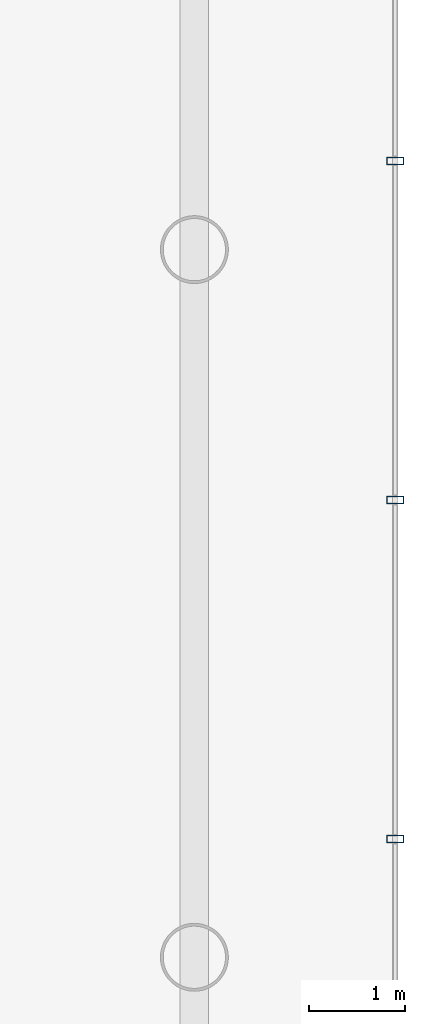
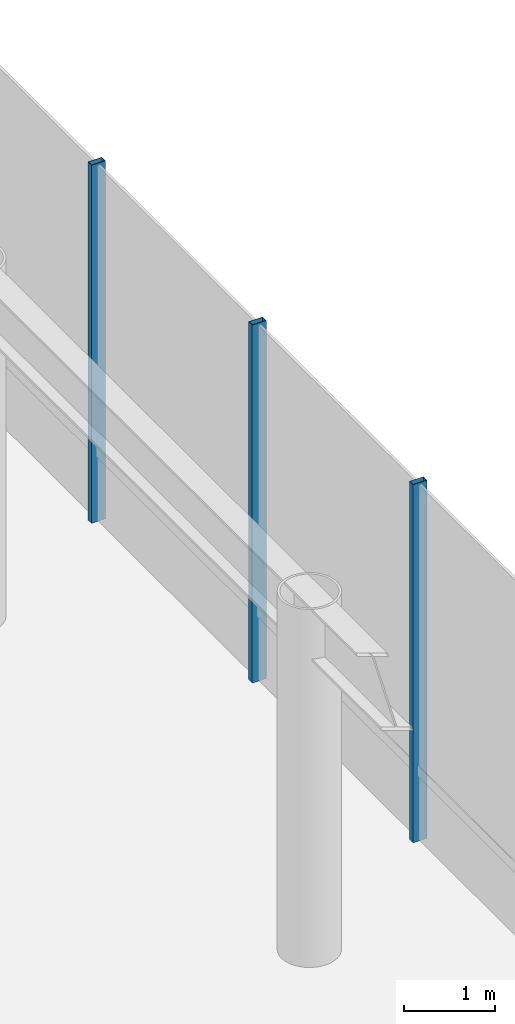
# One storey, part 16 of 31: 3 members, 1 element without a shape of its own.
"""IFC4 building model written with IfcOpenShell, lengths in metres."""

import ifcopenshell
import ifcopenshell.guid

model = None  # the IFC model being written
_history = None  # IfcOwnerHistory: only IFC2X3 demands one
_inside = {}  # id of a spatial element -> (the spatial element, [elements in it])
_under = {}  # id of a project, library or spatial element -> (it, [spatial elements below it])
_declared = {}  # id of a project -> (the project, [libraries it declares])
_typed = {}  # id of a type object -> (the type object, [elements of that type])
_made_of = {}  # id of a material, layer set ... -> (it, [elements and type objects made of it])


def new_model(schema):
    """Start an empty IFC model of exactly this schema.

    Asked for "IFC4X3", IfcOpenShell would pick the latest addendum, in which some entities
    have other attributes; the version numbers below select the first issue.
    IFC2X3 requires an IfcOwnerHistory on every rooted entity: one is made here for all.
    """
    global model, _history
    if schema == "IFC4X3":
        model = ifcopenshell.file(schema_version=(4, 3, 0, 0))
    else:
        model = ifcopenshell.file(schema=schema)
    _inside.clear()
    _under.clear()
    _declared.clear()
    _typed.clear()
    _made_of.clear()
    _history = None
    if model.schema == "IFC2X3":
        org = make("IfcOrganization", Name="unknown")
        user = make(
            "IfcPersonAndOrganization",
            ThePerson=make("IfcPerson", FamilyName="unknown"),
            TheOrganization=org,
        )
        app = make(
            "IfcApplication",
            ApplicationDeveloper=org,
            Version="unknown",
            ApplicationFullName="unknown",
            ApplicationIdentifier="unknown",
        )
        _history = make(
            "IfcOwnerHistory",
            OwningUser=user,
            OwningApplication=app,
            ChangeAction="ADDED",
            CreationDate=0,
        )
    return model


def make(cls, **values):
    """One entity of the class cls with the attributes given. An attribute that is None is left unset."""
    return model.create_entity(
        cls, **{name: value for name, value in values.items() if value is not None}
    )


def rooted(cls, **values):
    """An entity with a GlobalId (a new one), such as an element, a storey or a relation."""
    return make(cls, GlobalId=ifcopenshell.guid.new(), OwnerHistory=_history, **values)


def si_unit(unit_type, name, prefix=None):
    """IfcSIUnit, for example si_unit("LENGTHUNIT", "METRE", prefix="MILLI")."""
    return make("IfcSIUnit", UnitType=unit_type, Prefix=prefix, Name=name)


def assignment(units):
    """IfcUnitAssignment: the units of a project."""
    return None if units is None else make("IfcUnitAssignment", Units=units)


def point(xyz):
    """IfcCartesianPoint."""
    return None if xyz is None else make("IfcCartesianPoint", Coordinates=xyz)


def direction(xyz):
    """IfcDirection."""
    return None if xyz is None else make("IfcDirection", DirectionRatios=xyz)


def frame(location, z_axis=None, x_axis=None):
    """IfcAxis2Placement3D, a coordinate frame: its origin and axes. An axis left out is left unset."""
    return make(
        "IfcAxis2Placement3D",
        Location=point(location),
        Axis=direction(z_axis),
        RefDirection=direction(x_axis),
    )


def frame_2d(location, x_axis=None):
    """IfcAxis2Placement2D, a coordinate frame in the plane: its origin and x axis."""
    return make(
        "IfcAxis2Placement2D", Location=point(location), RefDirection=direction(x_axis)
    )


def origin():
    """The frame at (0, 0, 0) with its axes left unset."""
    return frame((0.0, 0.0, 0.0))


def origin_2d():
    """The frame at (0, 0) in the plane with its x axis left unset."""
    return frame_2d((0.0, 0.0))


def place(relative_to, where):
    """IfcLocalPlacement: puts the frame where relative to a parent placement (None: the world)."""
    return make(
        "IfcLocalPlacement", PlacementRelTo=relative_to, RelativePlacement=where
    )


def context(
    kind, dimensions, precision=None, world=None, true_north=None, identifier=None
):
    """IfcGeometricRepresentationContext, for example the 3D "Model" context."""
    return make(
        "IfcGeometricRepresentationContext",
        ContextIdentifier=identifier,
        ContextType=kind,
        CoordinateSpaceDimension=dimensions,
        Precision=precision,
        WorldCoordinateSystem=world,
        TrueNorth=true_north,
    )


def subcontext(parent, identifier, kind, view, scale=None):
    """IfcGeometricRepresentationSubContext, for example "Body" below "Model"."""
    return make(
        "IfcGeometricRepresentationSubContext",
        ContextIdentifier=identifier,
        ContextType=kind,
        ParentContext=parent,
        TargetScale=scale,
        TargetView=view,
    )


def project(units=None, contexts=None):
    """IfcProject with its units and contexts."""
    return rooted(
        "IfcProject",
        Name="project",
        RepresentationContexts=contexts,
        UnitsInContext=assignment(units),
    )


def spatial(cls, under=None, at=None, **own):
    """A site, building, storey or space (cls), placed at a placement, below another one or the project."""
    s = rooted(cls, ObjectPlacement=at, **own)
    if under is not None:
        _under.setdefault(under.id(), (under, []))[1].append(s)
    return s


def profile(cls, at=None, kind="AREA", **sizes):
    """A parametric profile (cls). Its sizes go by their IFC names, for example OverallWidth=200.0."""
    return make(cls, ProfileType=kind, Position=at, **sizes)


def hollow_rectangle(**sizes):
    """IfcRectangleHollowProfileDef."""
    return profile("IfcRectangleHollowProfileDef", **sizes)


def extrude(swept, where, along, depth):
    """IfcExtrudedAreaSolid: the profile swept, set in the frame where, extruded along a direction by depth."""
    return make(
        "IfcExtrudedAreaSolid",
        SweptArea=swept,
        Position=where,
        ExtrudedDirection=direction(along),
        Depth=depth,
    )


def shape(context_of_items, identifier, shape_type, items):
    """IfcShapeRepresentation: the items that make up one representation, for example the "Body"."""
    return make(
        "IfcShapeRepresentation",
        ContextOfItems=context_of_items,
        RepresentationIdentifier=identifier,
        RepresentationType=shape_type,
        Items=items,
    )


def material(Name=None, Category=None):
    """IfcMaterial."""
    return make("IfcMaterial", Name=Name, Category=Category)


def layer(
    of_material, thickness, ventilated=None, Name=None, Category=None, Priority=None
):
    """IfcMaterialLayer: one layer of a wall or slab, of a material (None: an air gap)."""
    return make(
        "IfcMaterialLayer",
        Material=of_material,
        LayerThickness=thickness,
        IsVentilated=ventilated,
        Name=Name,
        Category=Category,
        Priority=Priority,
    )


def layer_set(layers, Name=None):
    """IfcMaterialLayerSet."""
    return make("IfcMaterialLayerSet", MaterialLayers=layers, LayerSetName=Name)


def material_profile(
    of_material, cross_section, Name=None, Category=None, Priority=None
):
    """IfcMaterialProfile: a cross section and its material."""
    return make(
        "IfcMaterialProfile",
        Name=Name,
        Material=of_material,
        Profile=cross_section,
        Priority=Priority,
        Category=Category,
    )


def profile_set(profiles, Name=None, composite=None):
    """IfcMaterialProfileSet."""
    return make(
        "IfcMaterialProfileSet",
        Name=Name,
        MaterialProfiles=profiles,
        CompositeProfile=composite,
    )


def made_of(thing, what):
    """Note that an element or type object is made of a material, layer set ...; save() writes the relation."""
    if what is not None:
        _made_of.setdefault(what.id(), (what, []))[1].append(thing)
    return thing


def type_object(cls, material=None, **own):
    """A type object (cls), such as IfcWallType, which elements share."""
    return made_of(rooted(cls, **own), material)


def element(
    cls,
    number,
    at=None,
    inside=None,
    cuts=None,
    type_object=None,
    material=None,
    context=None,
    identifier="Body",
    shape_type=None,
    held_by="IfcProductDefinitionShape",
    body=None,
    shapes=None,
    **own,
):
    """One element of the class cls, such as IfcWall. Its Tag is "e" and its number.

    at: its placement. inside: the storey or other place that contains it. cuts: it is an
    opening in that element (IfcRelVoidsElement). A single representation is given by context,
    identifier, shape_type and body (its items); several are given by shapes. held_by: the class
    of the entity that holds the representations. save() writes the other relations.
    """
    e = rooted(cls, Tag="e%d" % number, ObjectPlacement=at, **own)
    if body is not None:
        shapes = [shape(context, identifier, shape_type, body)]
    if shapes is not None:
        e.Representation = make(held_by, Representations=shapes)
    if inside is not None:
        _inside.setdefault(inside.id(), (inside, []))[1].append(e)
    if cuts is not None:
        rooted(
            "IfcRelVoidsElement", RelatingBuildingElement=cuts, RelatedOpeningElement=e
        )
    if type_object is not None:
        _typed.setdefault(type_object.id(), (type_object, []))[1].append(e)
    return made_of(e, material)


def aggregate(whole, parts):
    """IfcRelAggregates: a whole, such as a stair, and the parts it consists of."""
    return rooted("IfcRelAggregates", RelatingObject=whole, RelatedObjects=parts)


def save(model, path):
    """Write the relations noted so far, then the file.

    IfcRelAggregates (storeys below a building ...), IfcRelContainedInSpatialStructure (elements
    in a storey), IfcRelDefinesByType, IfcRelAssociatesMaterial and IfcRelDeclares: one each for
    every whole, place, type object, material and project.
    """
    for whole, parts in _under.values():
        aggregate(whole, parts)
    for where, things in _inside.values():
        rooted(
            "IfcRelContainedInSpatialStructure",
            RelatedElements=things,
            RelatingStructure=where,
        )
    for kind, things in _typed.values():
        rooted("IfcRelDefinesByType", RelatedObjects=things, RelatingType=kind)
    for what, things in _made_of.values():
        rooted("IfcRelAssociatesMaterial", RelatedObjects=things, RelatingMaterial=what)
    for by, libraries in _declared.values():
        rooted("IfcRelDeclares", RelatingContext=by, RelatedDefinitions=libraries)
    model.write(path)


model = new_model("IFC4")

# Units and contexts
model_context = context("Model", 3, precision=1e-05, world=origin(), true_north=direction((0.0, 1.0)))
body_context = subcontext(model_context, "Body", "Model", "MODEL_VIEW")
ifc_project = project(units=[si_unit("LENGTHUNIT", "METRE"), si_unit("AREAUNIT", "SQUARE_METRE"), si_unit("VOLUMEUNIT", "CUBIC_METRE"), si_unit("PLANEANGLEUNIT", "RADIAN"), si_unit("MASSUNIT", "GRAM", prefix="KILO")], contexts=[model_context])

# Site, building, storey
site_placement = place(None, origin())
site = spatial("IfcSite", under=ifc_project, at=site_placement, CompositionType="ELEMENT")
building_placement = place(site_placement, origin())
building = spatial("IfcBuilding", under=site, at=building_placement, Name="Zarrinselat Tower", CompositionType="ELEMENT")
storey_placement = place(building_placement, origin())
storey = spatial("IfcBuildingStorey", under=building, at=storey_placement, Name="L00", CompositionType="ELEMENT", Elevation=0.0)

# Curtain wall, members
ifc_material_1 = material(Name="Extruded Aluminium Alloy EN AW-6063 T6", Category="aluminium")
ifc_layer = layer(ifc_material_1, 0.2099609375)
ifc_layer_set = layer_set([ifc_layer], Name="Extruded Aluminium Alloy EN AW-6063 T6")
curtain_wall_type = type_object("IfcCurtainWallType", Name="CWS-POD", PredefinedType="NOTDEFINED", material=ifc_layer_set)
curtain_wall_placement = place(storey_placement, origin())
curtain_wall = element("IfcCurtainWall", 1, at=curtain_wall_placement, inside=storey, type_object=curtain_wall_type, Name="L00 Unitised Curtain Wall CW-L00-E3", PredefinedType="NOTDEFINED")
ifc_material_2 = material(Name="Extruded Aluminium Alloy EN AW-6063 T6", Category="aluminium")
ifc_material_profile = material_profile(ifc_material_2, hollow_rectangle(XDim=0.080078125, YDim=0.179931640625, WallThickness=0.0048828125, at=origin_2d()), Name="RHS 180x80x5")
ifc_profile_set = profile_set([ifc_material_profile], Name="Extruded Aluminium Alloy EN AW-6063 T6")
member_type = type_object("IfcMemberType", Name="MEM-CW-MUL", PredefinedType="MULLION", material=ifc_profile_set)
member_1_placement = place(storey_placement, frame((79.300048828125, 19.636474609375, 0.0), z_axis=(0.0, 0.0, 1.0), x_axis=(0.0, 1.0, 0.0)))
member_1 = element("IfcMember", 2, at=member_1_placement, type_object=member_type, Name="CW-L00-E3 Mullion 3", PredefinedType="MULLION", context=body_context, shape_type="SweptSolid", body=[
    extrude(hollow_rectangle(XDim=0.080078125, YDim=0.179931640625, WallThickness=0.0048828125, at=origin_2d()), origin(), (0.0, 0.0, 1.0), 4.820068359375),
])
member_2_placement = place(storey_placement, frame((79.300048828125, 23.181884765625, 0.0), z_axis=(0.0, 0.0, 1.0), x_axis=(0.0, 1.0, 0.0)))
member_2 = element("IfcMember", 3, at=member_2_placement, type_object=member_type, Name="CW-L00-E3 Mullion 4", PredefinedType="MULLION", context=body_context, shape_type="SweptSolid", body=[
    extrude(hollow_rectangle(XDim=0.080078125, YDim=0.179931640625, WallThickness=0.0048828125, at=origin_2d()), origin(), (0.0, 0.0, 1.0), 4.820068359375),
])
member_3_placement = place(storey_placement, frame((79.300048828125, 26.727294921875, 0.0), z_axis=(0.0, 0.0, 1.0), x_axis=(0.0, 1.0, 0.0)))
member_3 = element("IfcMember", 4, at=member_3_placement, type_object=member_type, Name="CW-L00-E3 Mullion 5", PredefinedType="MULLION", context=body_context, shape_type="SweptSolid", body=[
    extrude(hollow_rectangle(XDim=0.080078125, YDim=0.179931640625, WallThickness=0.0048828125, at=origin_2d()), origin(), (0.0, 0.0, 1.0), 4.820068359375),
])
aggregate(curtain_wall, [member_1, member_2, member_3])

save(model, "model.ifc")
